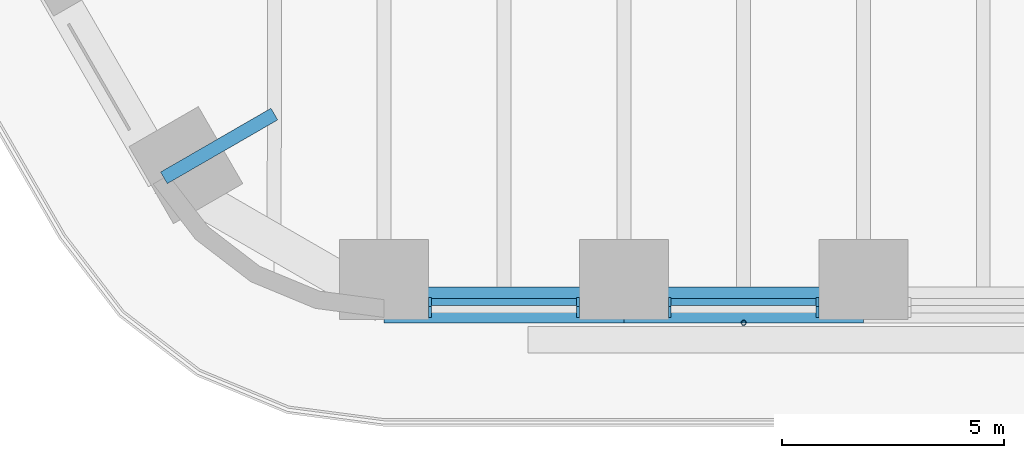
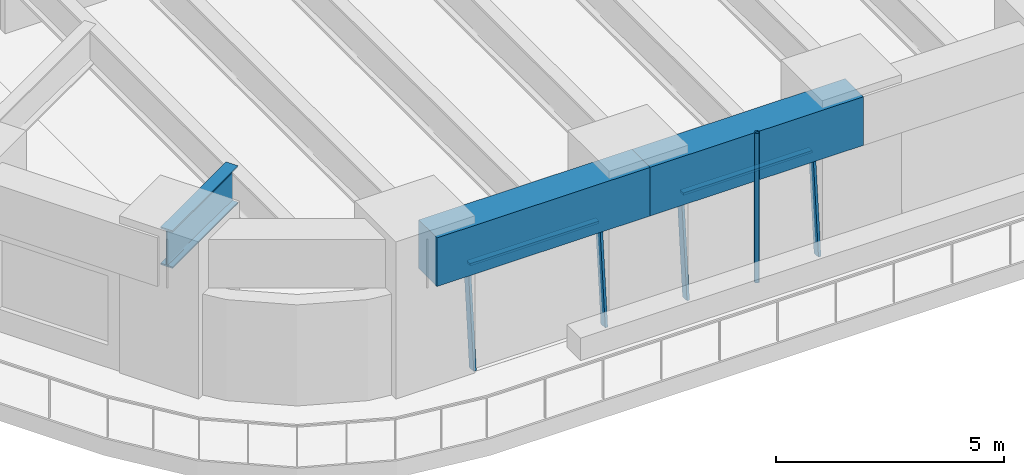
# One storey, part 2 of 23: 7 members, 3 beams, 2 elements without a shape of their own.
"""IFC4 building model written with IfcOpenShell, lengths in metres."""

from ifc_helpers import new_model, si_unit, direction, frame, origin, origin_2d, place, context, subcontext, project, spatial, rectangle, hollow_circle, i_section, extrude, material, material_profile, profile_set, type_object, element, aggregate, save


model = new_model("IFC4")

# Units and contexts
model_context = context("Model", 3, precision=1e-05, world=origin(), true_north=direction((0.0, 1.0)))
body_context = subcontext(model_context, "Body", "Model", "MODEL_VIEW")
ifc_project = project(units=[si_unit("LENGTHUNIT", "METRE"), si_unit("AREAUNIT", "SQUARE_METRE"), si_unit("VOLUMEUNIT", "CUBIC_METRE"), si_unit("PLANEANGLEUNIT", "RADIAN"), si_unit("MASSUNIT", "GRAM", prefix="KILO")], contexts=[model_context])

# Site, building, storey
site_placement = place(None, origin())
site = spatial("IfcSite", under=ifc_project, at=site_placement, CompositionType="ELEMENT")
building_placement = place(site_placement, origin())
building = spatial("IfcBuilding", under=site, at=building_placement, Name="Tarfa Lantern Tower", CompositionType="ELEMENT")
storey_placement = place(building_placement, frame((0.0, 0.0, 52.89990234375)))
storey = spatial("IfcBuildingStorey", under=building, at=storey_placement, Name="L11", CompositionType="ELEMENT", Elevation=52.89990234375)

# Curtain wall, members
ifc_material_1 = material(Name="Aluminium framed curtain wall", Category="aluminium")
curtain_wall_type = type_object("IfcCurtainWallType", Name="CW1 CANTED GLAZING LOW ZONE 2700", PredefinedType="USERDEFINED", material=ifc_material_1)
curtain_wall_1_placement = place(storey_placement, origin())
curtain_wall_1 = element("IfcCurtainWall", 1, at=curtain_wall_1_placement, inside=storey, type_object=curtain_wall_type, Name="CW1 S L11", ObjectType="CURTAIN WALL", PredefinedType="USERDEFINED")
ifc_material_2 = material(Name="Aluminium mullion", Category="aluminium")
ifc_material_profile_1 = material_profile(ifc_material_2, rectangle(XDim=0.06494140625, YDim=0.199951171875, at=origin_2d()), Name="AL MULLION 65x200")
ifc_profile_set_1 = profile_set([ifc_material_profile_1], Name="Aluminium mullion")
member_type_1 = type_object("IfcMemberType", Name="CWM1 MULLION 65x200", PredefinedType="MULLION", material=ifc_profile_set_1)
member_1_placement = place(storey_placement, frame((-15.13330078125, -33.89990234375, 0.0), z_axis=(0.0, 0.092191598296, 0.995741286281), x_axis=(-1.0, 0.0, 0.0)))
member_1 = element("IfcMember", 2, at=member_1_placement, type_object=member_type_1, Name="CW1 mullion 1", PredefinedType="MULLION", context=body_context, shape_type="SweptSolid", body=[
    extrude(rectangle(XDim=0.06494140625, YDim=0.199951171875, at=origin_2d()), origin(), (0.0, 0.0, 1.0), 2.711669921875),
])
member_2_placement = place(storey_placement, frame((-11.809814453125, -33.89990234375, 0.0), z_axis=(0.0, 0.092191598296, 0.995741286281), x_axis=(-1.0, 0.0, 0.0)))
member_2 = element("IfcMember", 3, at=member_2_placement, type_object=member_type_1, Name="CW1 mullion 2", PredefinedType="MULLION", context=body_context, shape_type="SweptSolid", body=[
    extrude(rectangle(XDim=0.06494140625, YDim=0.199951171875, at=origin_2d()), origin(), (0.0, 0.0, 1.0), 2.711669921875),
])

curtain_wall_2_placement = place(storey_placement, origin())
curtain_wall_2 = element("IfcCurtainWall", 4, at=curtain_wall_2_placement, inside=storey, type_object=curtain_wall_type, Name="CW1 S L11", ObjectType="CURTAIN WALL", PredefinedType="USERDEFINED")
member_3_placement = place(storey_placement, frame((-9.74462890625, -33.89990234375, 0.0), z_axis=(0.0, 0.092191598296, 0.995741286281), x_axis=(-1.0, 0.0, 0.0)))
member_3 = element("IfcMember", 5, at=member_3_placement, type_object=member_type_1, Name="CW1 mullion 1", PredefinedType="MULLION", context=body_context, shape_type="SweptSolid", body=[
    extrude(rectangle(XDim=0.06494140625, YDim=0.199951171875, at=origin_2d()), origin(), (0.0, 0.0, 1.0), 2.711669921875),
])
member_4_placement = place(storey_placement, frame((-6.421142578125, -33.89990234375, 0.0), z_axis=(0.0, 0.092191598296, 0.995741286281), x_axis=(-1.0, 0.0, 0.0)))
member_4 = element("IfcMember", 6, at=member_4_placement, type_object=member_type_1, Name="CW1 mullion 2", PredefinedType="MULLION", context=body_context, shape_type="SweptSolid", body=[
    extrude(rectangle(XDim=0.06494140625, YDim=0.199951171875, at=origin_2d()), origin(), (0.0, 0.0, 1.0), 2.711669921875),
])

# Member
ifc_material_3 = material(Name="Aluminium transom", Category="aluminium")
ifc_material_profile_2 = material_profile(ifc_material_3, rectangle(XDim=0.14990234375, YDim=0.06494140625, at=origin_2d()), Name="AL TRANSOM 150x65")
ifc_profile_set_2 = profile_set([ifc_material_profile_2], Name="Aluminium transom")
member_type_2 = type_object("IfcMemberType", Name="CWT1 TRANSOM 150x65", PredefinedType="USERDEFINED", material=ifc_profile_set_2)
member_5_placement = place(storey_placement, frame((-15.100830078125, -33.653076171875, 2.66748046875), z_axis=(1.0, 0.0, 0.0), x_axis=(0.0, 1.0, 0.0)))
member_5 = element("IfcMember", 7, at=member_5_placement, type_object=member_type_2, Name="CW1 transom 1.2", ObjectType="TRANSOM", PredefinedType="USERDEFINED", context=body_context, shape_type="SweptSolid", body=[
    extrude(rectangle(XDim=0.14990234375, YDim=0.06494140625, at=origin_2d()), origin(), (0.0, 0.0, 1.0), 3.258544921875),
])

aggregate(curtain_wall_1, [member_1, member_2, member_5])

member_6_placement = place(storey_placement, frame((-9.712158203125, -33.653076171875, 2.66748046875), z_axis=(1.0, 0.0, 0.0), x_axis=(0.0, 1.0, 0.0)))
member_6 = element("IfcMember", 8, at=member_6_placement, type_object=member_type_2, Name="CW1 transom 1.2", ObjectType="TRANSOM", PredefinedType="USERDEFINED", context=body_context, shape_type="SweptSolid", body=[
    extrude(rectangle(XDim=0.14990234375, YDim=0.06494140625, at=origin_2d()), origin(), (0.0, 0.0, 1.0), 3.258544921875),
])

aggregate(curtain_wall_2, [member_3, member_4, member_6])

# Beams
ifc_material_4 = material(Name="Concrete C80/95", Category="concrete")
ifc_material_profile_3 = material_profile(ifc_material_4, rectangle(XDim=0.800048828125, YDim=1.300048828125, at=origin_2d()), Name="RC 800x1300")
ifc_profile_set_3 = profile_set([ifc_material_profile_3], Name="Concrete C80/95")
beam_type_1 = type_object("IfcBeamType", Name="EB1 RC 800x1300", PredefinedType="SPANDREL", material=ifc_profile_set_3)
beam_1_placement = place(storey_placement, frame((-16.165771484375, -33.719970703125, 3.35009765625), z_axis=(1.0, 0.0, 0.0), x_axis=(0.0, 1.0, 0.0)))
element("IfcBeam", 9, at=beam_1_placement, inside=storey, type_object=beam_type_1, Name="Edge beam S0", PredefinedType="SPANDREL", context=body_context, shape_type="SweptSolid", body=[
    extrude(rectangle(XDim=0.800048828125, YDim=1.300048828125, at=origin_2d()), origin(), (0.0, 0.0, 1.0), 5.388671875),
])
beam_2_placement = place(storey_placement, frame((-10.777099609375, -33.719970703125, 3.35009765625), z_axis=(1.0, 0.0, 0.0), x_axis=(0.0, 1.0, 0.0)))
element("IfcBeam", 10, at=beam_2_placement, inside=storey, type_object=beam_type_1, Name="Edge beam S1", PredefinedType="SPANDREL", context=body_context, shape_type="SweptSolid", body=[
    extrude(rectangle(XDim=0.800048828125, YDim=1.300048828125, at=origin_2d()), origin(), (0.0, 0.0, 1.0), 5.388427734375),
])

# Member
ifc_material_5 = material(Name="Steel S355", Category="steel")
ifc_material_profile_4 = material_profile(ifc_material_5, hollow_circle(Radius=0.05712890625, WallThickness=0.00634765625, at=origin_2d()), Name="CHS114.3x6.3")
ifc_profile_set_4 = profile_set([ifc_material_profile_4], Name="Steel S355")
member_type_3 = type_object("IfcMemberType", Name="TR1 GREEN WALL TRELLIS CHS114.3x6.3", PredefinedType="USERDEFINED", material=ifc_profile_set_4)
member_7_placement = place(storey_placement, frame((-8.0830078125, -34.1201171875, 0.0), z_axis=(0.0, 0.0, 1.0), x_axis=(1.0, 0.0, 0.0)))
element("IfcMember", 11, at=member_7_placement, inside=storey, type_object=member_type_3, Name="Trellis post S 1", ObjectType="TRELLIS", PredefinedType="USERDEFINED", context=body_context, shape_type="SweptSolid", body=[
    extrude(hollow_circle(Radius=0.05712890625, WallThickness=0.00634765625, at=origin_2d()), origin(), (0.0, 0.0, 1.0), 4.0),
])

# Beam
ifc_material_6 = material(Name="Steel S460M", Category="steel")
ifc_material_profile_5 = material_profile(ifc_material_6, i_section(OverallWidth=0.302001953125, OverallDepth=1.008056640625, WebThickness=0.02099609375, FlangeThickness=0.0400390625, FilletRadius=0.030029296875, at=origin_2d()), Name="UB1016x305x349")
ifc_profile_set_5 = profile_set([ifc_material_profile_5], Name="Steel S460M")
beam_type_2 = type_object("IfcBeamType", Name="UB1016x305x349", PredefinedType="BEAM", material=ifc_profile_set_5)
beam_3_placement = place(storey_placement, frame((-21.119384765625, -30.860107421875, 3.49609375), z_axis=(0.866012580594, 0.500022209759, 0.0), x_axis=(-0.500022209759, 0.866012580594, 0.0)))
element("IfcBeam", 12, at=beam_3_placement, inside=storey, type_object=beam_type_2, Name="Floor beam SW6", PredefinedType="BEAM", context=body_context, shape_type="SweptSolid", body=[
    extrude(i_section(OverallWidth=0.302001953125, OverallDepth=1.008056640625, WebThickness=0.02099609375, FlangeThickness=0.0400390625, FilletRadius=0.030029296875, at=origin_2d()), origin(), (0.0, 0.0, 1.0), 2.866943359375),
])

save(model, "model.ifc")
